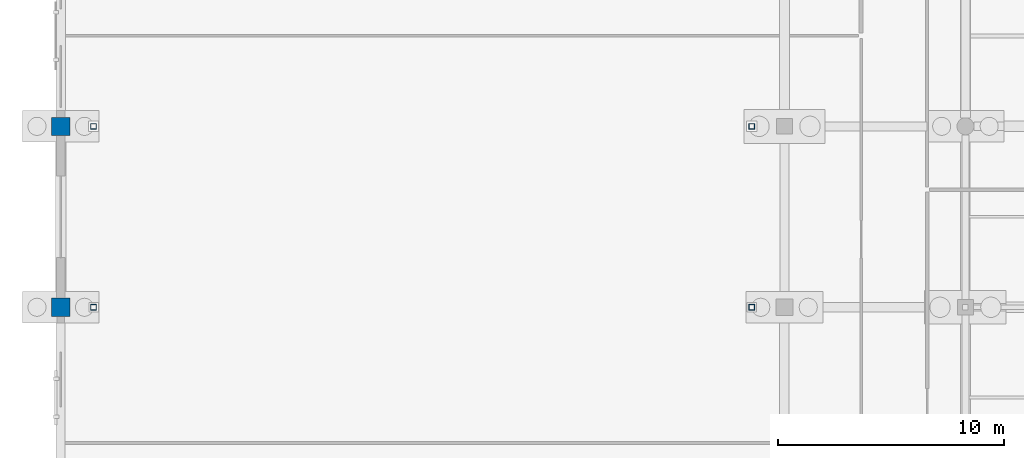
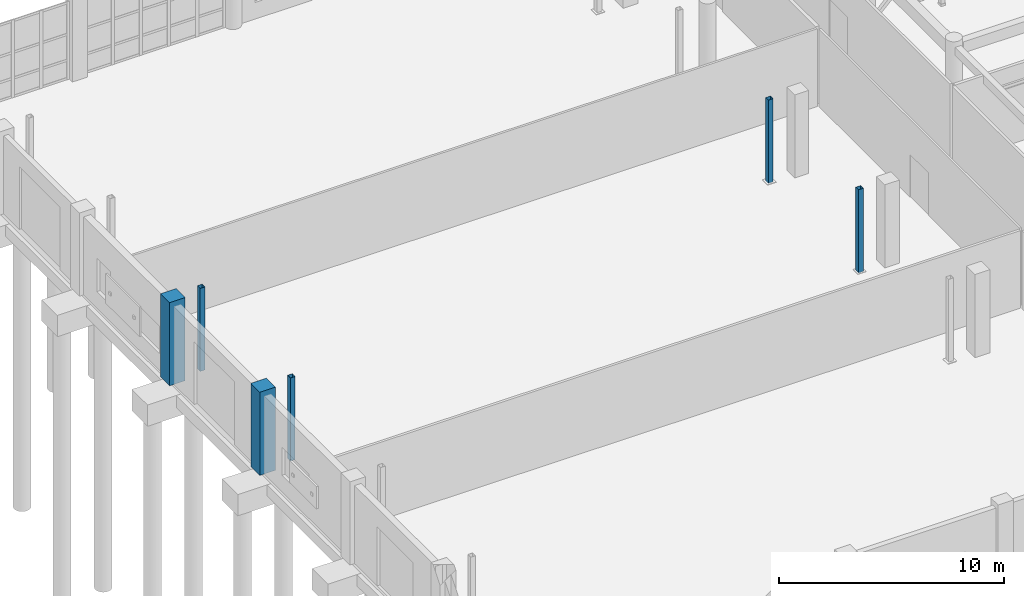
# One storey, part 27 of 166: 6 columns.
"""IFC4 building model written with IfcOpenShell, lengths in metres."""

from ifc_helpers import new_model, si_unit, direction, frame, origin, origin_2d, place, context, subcontext, project, spatial, rectangle, hollow_rectangle, extrude, material, material_profile, profile_set, type_object, element, save


model = new_model("IFC4")

# Units and contexts
model_context = context("Model", 3, precision=1e-05, world=origin(), true_north=direction((0.0, 1.0)))
body_context = subcontext(model_context, "Body", "Model", "MODEL_VIEW")
ifc_project = project(units=[si_unit("LENGTHUNIT", "METRE"), si_unit("AREAUNIT", "SQUARE_METRE"), si_unit("VOLUMEUNIT", "CUBIC_METRE"), si_unit("PLANEANGLEUNIT", "RADIAN"), si_unit("MASSUNIT", "GRAM", prefix="KILO")], contexts=[model_context])

# Site, building, storey
site_placement = place(None, origin())
site = spatial("IfcSite", under=ifc_project, at=site_placement, CompositionType="ELEMENT")
building_placement = place(site_placement, origin())
building = spatial("IfcBuilding", under=site, at=building_placement, Name="Kharva Crest Polytechnic", CompositionType="ELEMENT")
storey_placement = place(building_placement, origin())
storey = spatial("IfcBuildingStorey", under=building, at=storey_placement, Name="L00", CompositionType="ELEMENT", Elevation=0.0)

# Columns
ifc_material_1 = material(Name="Concrete C40/50", Category="concrete")
ifc_material_profile_1 = material_profile(ifc_material_1, rectangle(XDim=0.800048828125, YDim=0.800048828125, at=origin_2d()), Name="RECT 800 X 800")
ifc_profile_set_1 = profile_set([ifc_material_profile_1], Name="Concrete C40/50")
column_type_1 = type_object("IfcColumnType", Name="COL-EXT-800X800", PredefinedType="COLUMN", material=ifc_profile_set_1)
for number, where, z_axis, x_axis, name in (
    (1, (0.0, 62.800048828125, 0.0), (0.0, 0.0, 1.0), (1.0, 0.0, 0.0), "L00 Column 1/J"),
    (2, (0.0, 70.800048828125, 0.0), (0.0, 0.0, 1.0), (1.0, 0.0, 0.0), "L00 Column 1/K"),
):
    element("IfcColumn", number, at=place(storey_placement, frame(where, z_axis=z_axis, x_axis=x_axis)), inside=storey, type_object=column_type_1, Name=name, PredefinedType="COLUMN", context=body_context, shape_type="SweptSolid", body=[
        extrude(rectangle(XDim=0.800048828125, YDim=0.800048828125, at=origin_2d()), origin(), (0.0, 0.0, 1.0), 4.5),
    ])
ifc_material_2 = material(Name="Steel S355", Category="steel")
ifc_material_profile_2 = material_profile(ifc_material_2, hollow_rectangle(XDim=0.25, YDim=0.25, WallThickness=0.010009765625, at=origin_2d()), Name="RHS 250X250X10.0")
ifc_profile_set_2 = profile_set([ifc_material_profile_2], Name="Steel S355")
column_type_2 = type_object("IfcColumnType", Name="COL-STL-RHS250", PredefinedType="COLUMN", material=ifc_profile_set_2)
for number, where, z_axis, x_axis, name in (
    (3, (1.449951171875, 62.800048828125, 0.0), (0.0, 0.0, 1.0), (1.0, 0.0, 0.0), "L00 Crane Column W4"),
    (4, (1.449951171875, 70.800048828125, 0.0), (0.0, 0.0, 1.0), (1.0, 0.0, 0.0), "L00 Crane Column W5"),
    (5, (30.550048828125, 62.800048828125, 0.0), (0.0, 0.0, 1.0), (1.0, 0.0, 0.0), "L00 Crane Column E4"),
    (6, (30.550048828125, 70.800048828125, 0.0), (0.0, 0.0, 1.0), (1.0, 0.0, 0.0), "L00 Crane Column E5"),
):
    element("IfcColumn", number, at=place(storey_placement, frame(where, z_axis=z_axis, x_axis=x_axis)), inside=storey, type_object=column_type_2, Name=name, PredefinedType="COLUMN", context=body_context, shape_type="SweptSolid", body=[
        extrude(hollow_rectangle(XDim=0.25, YDim=0.25, WallThickness=0.010009765625, at=origin_2d()), origin(), (0.0, 0.0, 1.0), 4.5),
    ])

save(model, "model.ifc")
